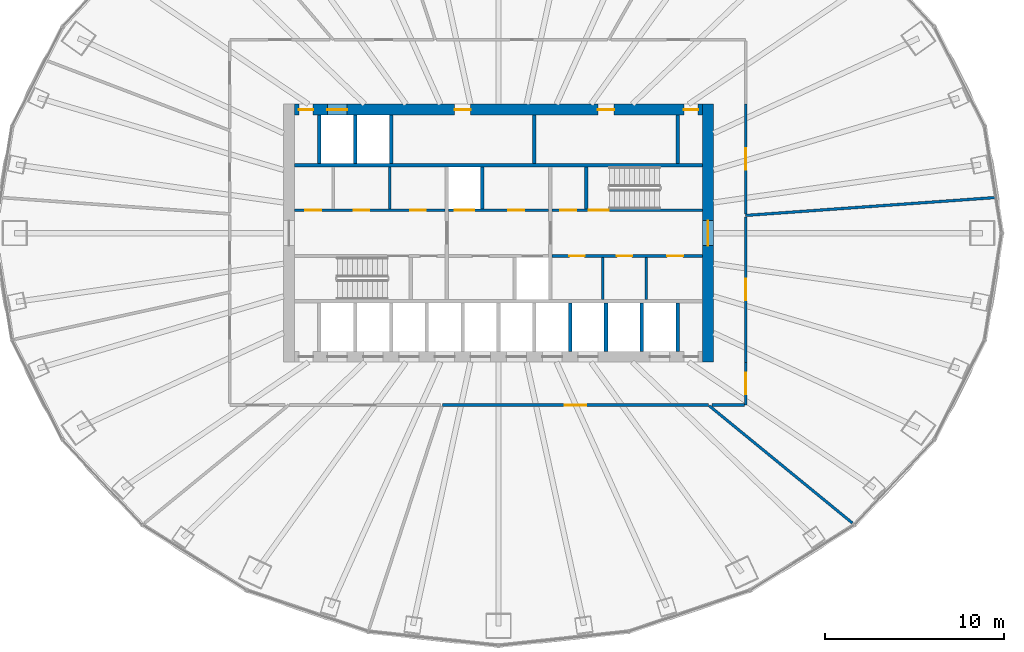
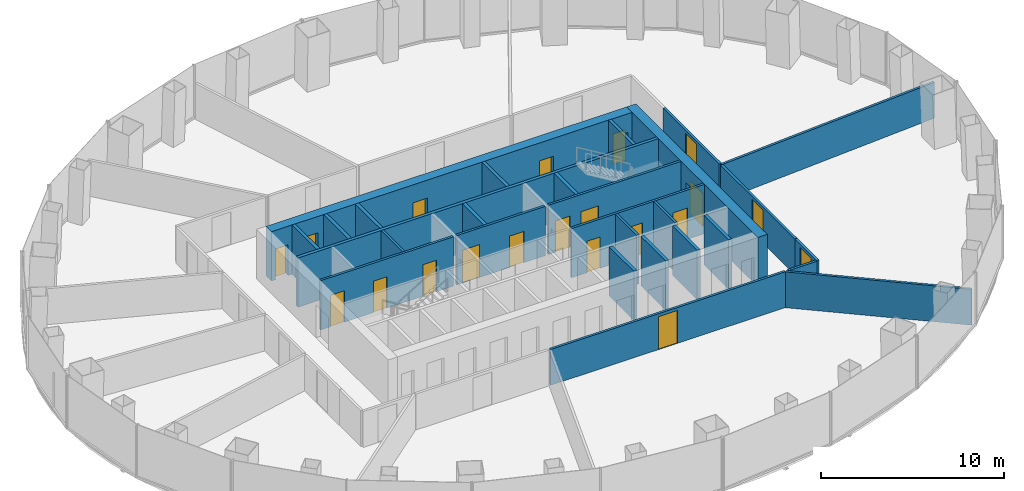
# One storey, part 9 of 11: 28 walls, 20 doors, 20 openings.
"""IFC4 building model written with IfcOpenShell, lengths in metres."""

import ifcopenshell
import ifcopenshell.guid

model = None  # the IFC model being written
_history = None  # IfcOwnerHistory: only IFC2X3 demands one
_inside = {}  # id of a spatial element -> (the spatial element, [elements in it])
_under = {}  # id of a project, library or spatial element -> (it, [spatial elements below it])
_declared = {}  # id of a project -> (the project, [libraries it declares])
_typed = {}  # id of a type object -> (the type object, [elements of that type])
_made_of = {}  # id of a material, layer set ... -> (it, [elements and type objects made of it])


def new_model(schema):
    """Start an empty IFC model of exactly this schema.

    Asked for "IFC4X3", IfcOpenShell would pick the latest addendum, in which some entities
    have other attributes; the version numbers below select the first issue.
    IFC2X3 requires an IfcOwnerHistory on every rooted entity: one is made here for all.
    """
    global model, _history
    if schema == "IFC4X3":
        model = ifcopenshell.file(schema_version=(4, 3, 0, 0))
    else:
        model = ifcopenshell.file(schema=schema)
    _inside.clear()
    _under.clear()
    _declared.clear()
    _typed.clear()
    _made_of.clear()
    _history = None
    if model.schema == "IFC2X3":
        org = make("IfcOrganization", Name="unknown")
        user = make(
            "IfcPersonAndOrganization",
            ThePerson=make("IfcPerson", FamilyName="unknown"),
            TheOrganization=org,
        )
        app = make(
            "IfcApplication",
            ApplicationDeveloper=org,
            Version="unknown",
            ApplicationFullName="unknown",
            ApplicationIdentifier="unknown",
        )
        _history = make(
            "IfcOwnerHistory",
            OwningUser=user,
            OwningApplication=app,
            ChangeAction="ADDED",
            CreationDate=0,
        )
    return model


def make(cls, **values):
    """One entity of the class cls with the attributes given. An attribute that is None is left unset."""
    return model.create_entity(
        cls, **{name: value for name, value in values.items() if value is not None}
    )


def rooted(cls, **values):
    """An entity with a GlobalId (a new one), such as an element, a storey or a relation."""
    return make(cls, GlobalId=ifcopenshell.guid.new(), OwnerHistory=_history, **values)


def si_unit(unit_type, name, prefix=None):
    """IfcSIUnit, for example si_unit("LENGTHUNIT", "METRE", prefix="MILLI")."""
    return make("IfcSIUnit", UnitType=unit_type, Prefix=prefix, Name=name)


def assignment(units):
    """IfcUnitAssignment: the units of a project."""
    return None if units is None else make("IfcUnitAssignment", Units=units)


def point(xyz):
    """IfcCartesianPoint."""
    return None if xyz is None else make("IfcCartesianPoint", Coordinates=xyz)


def direction(xyz):
    """IfcDirection."""
    return None if xyz is None else make("IfcDirection", DirectionRatios=xyz)


def frame(location, z_axis=None, x_axis=None):
    """IfcAxis2Placement3D, a coordinate frame: its origin and axes. An axis left out is left unset."""
    return make(
        "IfcAxis2Placement3D",
        Location=point(location),
        Axis=direction(z_axis),
        RefDirection=direction(x_axis),
    )


def frame_2d(location, x_axis=None):
    """IfcAxis2Placement2D, a coordinate frame in the plane: its origin and x axis."""
    return make(
        "IfcAxis2Placement2D", Location=point(location), RefDirection=direction(x_axis)
    )


def origin():
    """The frame at (0, 0, 0) with its axes left unset."""
    return frame((0.0, 0.0, 0.0))


def place(relative_to, where):
    """IfcLocalPlacement: puts the frame where relative to a parent placement (None: the world)."""
    return make(
        "IfcLocalPlacement", PlacementRelTo=relative_to, RelativePlacement=where
    )


def context(
    kind, dimensions, precision=None, world=None, true_north=None, identifier=None
):
    """IfcGeometricRepresentationContext, for example the 3D "Model" context."""
    return make(
        "IfcGeometricRepresentationContext",
        ContextIdentifier=identifier,
        ContextType=kind,
        CoordinateSpaceDimension=dimensions,
        Precision=precision,
        WorldCoordinateSystem=world,
        TrueNorth=true_north,
    )


def subcontext(parent, identifier, kind, view, scale=None):
    """IfcGeometricRepresentationSubContext, for example "Body" below "Model"."""
    return make(
        "IfcGeometricRepresentationSubContext",
        ContextIdentifier=identifier,
        ContextType=kind,
        ParentContext=parent,
        TargetScale=scale,
        TargetView=view,
    )


def project(units=None, contexts=None):
    """IfcProject with its units and contexts."""
    return rooted(
        "IfcProject",
        Name="project",
        RepresentationContexts=contexts,
        UnitsInContext=assignment(units),
    )


def spatial(cls, under=None, at=None, **own):
    """A site, building, storey or space (cls), placed at a placement, below another one or the project."""
    s = rooted(cls, ObjectPlacement=at, **own)
    if under is not None:
        _under.setdefault(under.id(), (under, []))[1].append(s)
    return s


def profile(cls, at=None, kind="AREA", **sizes):
    """A parametric profile (cls). Its sizes go by their IFC names, for example OverallWidth=200.0."""
    return make(cls, ProfileType=kind, Position=at, **sizes)


def rectangle(**sizes):
    """IfcRectangleProfileDef."""
    return profile("IfcRectangleProfileDef", **sizes)


def extrude(swept, where, along, depth):
    """IfcExtrudedAreaSolid: the profile swept, set in the frame where, extruded along a direction by depth."""
    return make(
        "IfcExtrudedAreaSolid",
        SweptArea=swept,
        Position=where,
        ExtrudedDirection=direction(along),
        Depth=depth,
    )


def shape(context_of_items, identifier, shape_type, items):
    """IfcShapeRepresentation: the items that make up one representation, for example the "Body"."""
    return make(
        "IfcShapeRepresentation",
        ContextOfItems=context_of_items,
        RepresentationIdentifier=identifier,
        RepresentationType=shape_type,
        Items=items,
    )


def material(Name=None, Category=None):
    """IfcMaterial."""
    return make("IfcMaterial", Name=Name, Category=Category)


def layer(
    of_material, thickness, ventilated=None, Name=None, Category=None, Priority=None
):
    """IfcMaterialLayer: one layer of a wall or slab, of a material (None: an air gap)."""
    return make(
        "IfcMaterialLayer",
        Material=of_material,
        LayerThickness=thickness,
        IsVentilated=ventilated,
        Name=Name,
        Category=Category,
        Priority=Priority,
    )


def layer_set(layers, Name=None):
    """IfcMaterialLayerSet."""
    return make("IfcMaterialLayerSet", MaterialLayers=layers, LayerSetName=Name)


def made_of(thing, what):
    """Note that an element or type object is made of a material, layer set ...; save() writes the relation."""
    if what is not None:
        _made_of.setdefault(what.id(), (what, []))[1].append(thing)
    return thing


def type_object(cls, material=None, **own):
    """A type object (cls), such as IfcWallType, which elements share."""
    return made_of(rooted(cls, **own), material)


def element(
    cls,
    number,
    at=None,
    inside=None,
    cuts=None,
    type_object=None,
    material=None,
    context=None,
    identifier="Body",
    shape_type=None,
    held_by="IfcProductDefinitionShape",
    body=None,
    shapes=None,
    **own,
):
    """One element of the class cls, such as IfcWall. Its Tag is "e" and its number.

    at: its placement. inside: the storey or other place that contains it. cuts: it is an
    opening in that element (IfcRelVoidsElement). A single representation is given by context,
    identifier, shape_type and body (its items); several are given by shapes. held_by: the class
    of the entity that holds the representations. save() writes the other relations.
    """
    e = rooted(cls, Tag="e%d" % number, ObjectPlacement=at, **own)
    if body is not None:
        shapes = [shape(context, identifier, shape_type, body)]
    if shapes is not None:
        e.Representation = make(held_by, Representations=shapes)
    if inside is not None:
        _inside.setdefault(inside.id(), (inside, []))[1].append(e)
    if cuts is not None:
        rooted(
            "IfcRelVoidsElement", RelatingBuildingElement=cuts, RelatedOpeningElement=e
        )
    if type_object is not None:
        _typed.setdefault(type_object.id(), (type_object, []))[1].append(e)
    return made_of(e, material)


def fill(opening, filler):
    """IfcRelFillsElement: the door or window that sits in an opening."""
    return rooted(
        "IfcRelFillsElement",
        RelatingOpeningElement=opening,
        RelatedBuildingElement=filler,
    )


def aggregate(whole, parts):
    """IfcRelAggregates: a whole, such as a stair, and the parts it consists of."""
    return rooted("IfcRelAggregates", RelatingObject=whole, RelatedObjects=parts)


def save(model, path):
    """Write the relations noted so far, then the file.

    IfcRelAggregates (storeys below a building ...), IfcRelContainedInSpatialStructure (elements
    in a storey), IfcRelDefinesByType, IfcRelAssociatesMaterial and IfcRelDeclares: one each for
    every whole, place, type object, material and project.
    """
    for whole, parts in _under.values():
        aggregate(whole, parts)
    for where, things in _inside.values():
        rooted(
            "IfcRelContainedInSpatialStructure",
            RelatedElements=things,
            RelatingStructure=where,
        )
    for kind, things in _typed.values():
        rooted("IfcRelDefinesByType", RelatedObjects=things, RelatingType=kind)
    for what, things in _made_of.values():
        rooted("IfcRelAssociatesMaterial", RelatedObjects=things, RelatingMaterial=what)
    for by, libraries in _declared.values():
        rooted("IfcRelDeclares", RelatingContext=by, RelatedDefinitions=libraries)
    model.write(path)


model = new_model("IFC4")

# Units and contexts
model_context = context("Model", 3, precision=1e-05, world=origin(), true_north=direction((0.0, 1.0)))
body_context = subcontext(model_context, "Body", "Model", "MODEL_VIEW")
ifc_project = project(units=[si_unit("LENGTHUNIT", "METRE"), si_unit("AREAUNIT", "SQUARE_METRE"), si_unit("VOLUMEUNIT", "CUBIC_METRE"), si_unit("PLANEANGLEUNIT", "RADIAN"), si_unit("MASSUNIT", "GRAM", prefix="KILO")], contexts=[model_context])

# Site, building, storey
site_placement = place(None, origin())
site = spatial("IfcSite", under=ifc_project, at=site_placement, CompositionType="ELEMENT")
building_placement = place(site_placement, origin())
building = spatial("IfcBuilding", under=site, at=building_placement, Name="Siaravel Broadcast Tower", CompositionType="ELEMENT")
storey_placement = place(building_placement, frame((0.0, 0.0, 40.800048828125)))
storey = spatial("IfcBuildingStorey", under=building, at=storey_placement, Name="L08", CompositionType="ELEMENT", Elevation=40.800048828125)

# Walls
ifc_material_1 = material(Name="Concrete blockwork", Category="masonry")
ifc_layer_1 = layer(ifc_material_1, 0.14990234375)
ifc_layer_set_1 = layer_set([ifc_layer_1], Name="Concrete blockwork")
wall_type_1 = type_object("IfcWallType", Name="Core partition 150", PredefinedType="PARTITIONING", material=ifc_layer_set_1)
for number, where, z_axis, x_axis, name in (
    (1, (-6.072021484375, 1.35009765625, 0.0), (0.0, 0.0, 1.0), (0.0, 1.0, 0.0), "L08 core partition PNW1"),
    (2, (5.8291015625, -3.699951171875, 0.0), (0.0, 0.0, 1.0), (0.0, 1.0, 0.0), "L08 core partition PSE0"),
    (3, (8.2470703125, -3.699951171875, 0.0), (0.0, 0.0, 1.0), (0.0, 1.0, 0.0), "L08 core partition PSE1"),
):
    element("IfcWall", number, at=place(storey_placement, frame(where, z_axis=z_axis, x_axis=x_axis)), inside=storey, type_object=wall_type_1, Name=name, PredefinedType="PARTITIONING", context=body_context, shape_type="SweptSolid", body=[
        extrude(rectangle(XDim=2.349853515625, YDim=0.14990234375, at=frame_2d((1.1748046875, 0.0))), origin(), (0.0, 0.0, 1.0), 3.300048828125),
    ])
ifc_layer_2 = layer(ifc_material_1, 0.199951171875)
ifc_layer_set_2 = layer_set([ifc_layer_2], Name="Concrete blockwork")
wall_type_2 = type_object("IfcWallType", Name="Core partition 200", PredefinedType="PARTITIONING", material=ifc_layer_set_2)
wall_1_placement = place(storey_placement, frame((2.0, 3.89990234375, 0.0), z_axis=(0.0, 0.0, 1.0), x_axis=(0.0, 1.0, 0.0)))
element("IfcWall", 4, at=wall_1_placement, inside=storey, type_object=wall_type_2, Name="L08 core partition PFN2", PredefinedType="PARTITIONING", context=body_context, shape_type="SweptSolid", body=[
    extrude(rectangle(XDim=2.7001953125, YDim=0.199951171875, at=frame_2d((1.35009765625, 0.0))), origin(), (0.0, 0.0, 1.0), 3.300048828125),
])

# Wall, opening, door
ifc_material_2 = material(Name="Concrete C60/75", Category="concrete")
ifc_layer_3 = layer(ifc_material_2, 0.60009765625)
ifc_layer_set_3 = layer_set([ifc_layer_3], Name="Concrete C60/75")
wall_type_3 = type_object("IfcWallType", Name="Core wall 600", PredefinedType="SHEAR", material=ifc_layer_set_3)
wall_2_placement = place(storey_placement, frame((11.699951171875, -7.199951171875, 0.0), z_axis=(0.0, 0.0, 1.0), x_axis=(0.0, 1.0, 0.0)))
wall_2 = element("IfcWall", 5, at=wall_2_placement, inside=storey, type_object=wall_type_3, Name="L08 core wall OE", PredefinedType="SHEAR", context=body_context, shape_type="SweptSolid", body=[
    extrude(rectangle(XDim=14.39990234375, YDim=0.60009765625, at=frame_2d((7.199951171875, 0.0))), origin(), (0.0, 0.0, 1.0), 3.300048828125),
])
opening_1_placement = place(wall_2_placement, frame((6.5, 0.0, 0.0)))
opening_1 = element("IfcOpeningElement", 6, at=opening_1_placement, cuts=wall_2, Name="Opening L08-DX-E", PredefinedType="OPENING", context=body_context, shape_type="SweptSolid", body=[
    extrude(rectangle(XDim=1.39990234375, YDim=2.199951171875, at=frame_2d((0.699951171875, 1.10009765625))), frame((0.0, 0.31005859375, 0.0), z_axis=(0.0, -1.0, 0.0), x_axis=(1.0, 0.0, 0.0)), (0.0, 0.0, 1.0), 0.6201171875),
])
ifc_material_3 = material(Name="Steel", Category="steel")
door_type_1 = type_object("IfcDoorType", Name="Core exit door 1400", OperationType="DOUBLE_DOOR_SINGLE_SWING", PredefinedType="DOOR", material=ifc_material_3)
door_1_placement = place(opening_1_placement, origin())
door_1 = element("IfcDoor", 7, at=door_1_placement, inside=storey, type_object=door_type_1, Name="L08 door DX-E", OperationType="DOUBLE_DOOR_SINGLE_SWING", OverallHeight=2.199951171875, OverallWidth=1.39990234375, PredefinedType="DOOR", context=body_context, shape_type="SweptSolid", body=[
    extrude(rectangle(XDim=1.39990234375, YDim=2.199951171875, at=frame_2d((0.699951171875, 1.10009765625))), frame((0.0, 0.02490234375, 0.0), z_axis=(0.0, -1.0, 0.0), x_axis=(1.0, 0.0, 0.0)), (0.0, 0.0, 1.0), 0.050048828125),
])
fill(opening_1, door_1)

# Wall, openings, doors
wall_3_placement = place(storey_placement, frame((-11.39990234375, 6.89990234375, 0.0), z_axis=(0.0, 0.0, 1.0), x_axis=(1.0, 0.0, 0.0)))
wall_3 = element("IfcWall", 8, at=wall_3_placement, inside=storey, type_object=wall_type_3, Name="L08 core wall ON", PredefinedType="SHEAR", context=body_context, shape_type="SweptSolid", body=[
    extrude(rectangle(XDim=22.7998046875, YDim=0.60009765625, at=frame_2d((11.39990234375, 0.0))), origin(), (0.0, 0.0, 1.0), 3.300048828125),
])
opening_2_placement = place(wall_3_placement, frame((1.85009765625, 0.0, 0.0)))
opening_2 = element("IfcOpeningElement", 9, at=opening_2_placement, cuts=wall_3, Name="Opening LD-SV2-L08", PredefinedType="OPENING", context=body_context, shape_type="SweptSolid", body=[
    extrude(rectangle(XDim=1.10009765625, YDim=2.199951171875, at=frame_2d((0.550048828125, 1.10009765625))), frame((0.0, 0.31005859375, 0.0), z_axis=(0.0, -1.0, 0.0), x_axis=(1.0, 0.0, 0.0)), (0.0, 0.0, 1.0), 0.6201171875),
])
opening_3_placement = place(wall_3_placement, frame((8.949951171875, 0.0, 0.0)))
opening_3 = element("IfcOpeningElement", 10, at=opening_3_placement, cuts=wall_3, Name="Opening L08-DFN2", PredefinedType="OPENING", context=body_context, shape_type="SweptSolid", body=[
    extrude(rectangle(XDim=0.89990234375, YDim=2.10009765625, at=frame_2d((0.449951171875, 1.050048828125))), frame((0.0, 0.31005859375, 0.0), z_axis=(0.0, -1.0, 0.0), x_axis=(1.0, 0.0, 0.0)), (0.0, 0.0, 1.0), 0.6201171875),
])
opening_4_placement = place(wall_3_placement, frame((16.949951171875, 0.0, 0.0)))
opening_4 = element("IfcOpeningElement", 11, at=opening_4_placement, cuts=wall_3, Name="Opening L08-DFN6", PredefinedType="OPENING", context=body_context, shape_type="SweptSolid", body=[
    extrude(rectangle(XDim=0.89990234375, YDim=2.10009765625, at=frame_2d((0.449951171875, 1.050048828125))), frame((0.0, 0.31005859375, 0.0), z_axis=(0.0, -1.0, 0.0), x_axis=(1.0, 0.0, 0.0)), (0.0, 0.0, 1.0), 0.6201171875),
])
opening_5_placement = place(wall_3_placement, frame((0.25, 0.0, 0.0)))
opening_5 = element("IfcOpeningElement", 12, at=opening_5_placement, cuts=wall_3, Name="Opening L08-DRNW", PredefinedType="OPENING", context=body_context, shape_type="SweptSolid", body=[
    extrude(rectangle(XDim=0.800048828125, YDim=2.050048828125, at=frame_2d((0.39990234375, 1.02490234375))), frame((0.0, 0.31005859375, 0.0), z_axis=(0.0, -1.0, 0.0), x_axis=(1.0, 0.0, 0.0)), (0.0, 0.0, 1.0), 0.6201171875),
])
opening_6_placement = place(wall_3_placement, frame((21.75, 0.0, 0.0)))
opening_6 = element("IfcOpeningElement", 13, at=opening_6_placement, cuts=wall_3, Name="Opening L08-DRNE", PredefinedType="OPENING", context=body_context, shape_type="SweptSolid", body=[
    extrude(rectangle(XDim=0.800048828125, YDim=2.050048828125, at=frame_2d((0.39990234375, 1.02490234375))), frame((0.0, 0.31005859375, 0.0), z_axis=(0.0, -1.0, 0.0), x_axis=(1.0, 0.0, 0.0)), (0.0, 0.0, 1.0), 0.6201171875),
])
ifc_material_4 = material(Name="Timber veneer", Category="wood")
door_type_2 = type_object("IfcDoorType", Name="Core room door 900", OperationType="SINGLE_SWING_LEFT", PredefinedType="DOOR", material=ifc_material_4)
door_2_placement = place(opening_3_placement, origin())
door_2 = element("IfcDoor", 14, at=door_2_placement, inside=storey, type_object=door_type_2, Name="L08 door DFN2", OperationType="SINGLE_SWING_LEFT", OverallHeight=2.10009765625, OverallWidth=0.89990234375, PredefinedType="DOOR", context=body_context, shape_type="SweptSolid", body=[
    extrude(rectangle(XDim=0.89990234375, YDim=2.10009765625, at=frame_2d((0.449951171875, 1.050048828125))), frame((0.0, 0.02490234375, 0.0), z_axis=(0.0, -1.0, 0.0), x_axis=(1.0, 0.0, 0.0)), (0.0, 0.0, 1.0), 0.050048828125),
])
fill(opening_3, door_2)
door_3_placement = place(opening_4_placement, origin())
door_3 = element("IfcDoor", 15, at=door_3_placement, inside=storey, type_object=door_type_2, Name="L08 door DFN6", OperationType="SINGLE_SWING_LEFT", OverallHeight=2.10009765625, OverallWidth=0.89990234375, PredefinedType="DOOR", context=body_context, shape_type="SweptSolid", body=[
    extrude(rectangle(XDim=0.89990234375, YDim=2.10009765625, at=frame_2d((0.449951171875, 1.050048828125))), frame((0.0, 0.02490234375, 0.0), z_axis=(0.0, -1.0, 0.0), x_axis=(1.0, 0.0, 0.0)), (0.0, 0.0, 1.0), 0.050048828125),
])
fill(opening_4, door_3)
door_type_3 = type_object("IfcDoorType", Name="Riser door 800", OperationType="SINGLE_SWING_LEFT", PredefinedType="DOOR", material=ifc_material_3)
door_4_placement = place(opening_5_placement, origin())
door_4 = element("IfcDoor", 16, at=door_4_placement, inside=storey, type_object=door_type_3, Name="L08 door DRNW", OperationType="SINGLE_SWING_LEFT", OverallHeight=2.050048828125, OverallWidth=0.800048828125, PredefinedType="DOOR", context=body_context, shape_type="SweptSolid", body=[
    extrude(rectangle(XDim=0.800048828125, YDim=2.050048828125, at=frame_2d((0.39990234375, 1.02490234375))), frame((0.0, 0.02490234375, 0.0), z_axis=(0.0, -1.0, 0.0), x_axis=(1.0, 0.0, 0.0)), (0.0, 0.0, 1.0), 0.050048828125),
])
fill(opening_5, door_4)
door_5_placement = place(opening_6_placement, origin())
door_5 = element("IfcDoor", 17, at=door_5_placement, inside=storey, type_object=door_type_3, Name="L08 door DRNE", OperationType="SINGLE_SWING_LEFT", OverallHeight=2.050048828125, OverallWidth=0.800048828125, PredefinedType="DOOR", context=body_context, shape_type="SweptSolid", body=[
    extrude(rectangle(XDim=0.800048828125, YDim=2.050048828125, at=frame_2d((0.39990234375, 1.02490234375))), frame((0.0, 0.02490234375, 0.0), z_axis=(0.0, -1.0, 0.0), x_axis=(1.0, 0.0, 0.0)), (0.0, 0.0, 1.0), 0.050048828125),
])
fill(opening_6, door_5)
ifc_material_5 = material(Name="Stainless steel 316L", Category="steel")
door_type_4 = type_object("IfcDoorType", Name="Service lift landing door 1100", OperationType="DOUBLE_DOOR_SLIDING", PredefinedType="DOOR", material=ifc_material_5)
door_6_placement = place(opening_2_placement, origin())
door_6 = element("IfcDoor", 18, at=door_6_placement, inside=storey, type_object=door_type_4, Name="Landing door SV2 L08", OperationType="DOUBLE_DOOR_SLIDING", OverallHeight=2.199951171875, OverallWidth=1.10009765625, PredefinedType="DOOR", context=body_context, shape_type="SweptSolid", body=[
    extrude(rectangle(XDim=1.10009765625, YDim=2.199951171875, at=frame_2d((0.550048828125, 1.10009765625))), frame((0.0, 0.02490234375, 0.0), z_axis=(0.0, -1.0, 0.0), x_axis=(1.0, 0.0, 0.0)), (0.0, 0.0, 1.0), 0.050048828125),
])
fill(opening_2, door_6)

ifc_material_6 = material(Name="Gypsum board partition", Category="gypsum")
ifc_layer_4 = layer(ifc_material_6, 0.14990234375)
ifc_layer_set_4 = layer_set([ifc_layer_4], Name="Gypsum board partition")
wall_type_4 = type_object("IfcWallType", Name="Corridor wall 150", PredefinedType="PARTITIONING", material=ifc_layer_set_4)
wall_4_placement = place(storey_placement, frame((3.0, -1.27490234375, 0.0), z_axis=(0.0, 0.0, 1.0), x_axis=(1.0, 0.0, 0.0)))
wall_4 = element("IfcWall", 19, at=wall_4_placement, inside=storey, type_object=wall_type_4, Name="L08 core partition CSE", PredefinedType="PARTITIONING", context=body_context, shape_type="SweptSolid", body=[
    extrude(rectangle(XDim=8.39990234375, YDim=0.14990234375, at=frame_2d((4.199951171875, 0.0))), origin(), (0.0, 0.0, 1.0), 3.300048828125),
])
opening_7_placement = place(wall_4_placement, frame((0.951904296875, 0.0, 0.0)))
opening_7 = element("IfcOpeningElement", 20, at=opening_7_placement, cuts=wall_4, Name="Opening L08-DSE0", PredefinedType="OPENING", context=body_context, shape_type="SweptSolid", body=[
    extrude(rectangle(XDim=0.85009765625, YDim=2.10009765625, at=frame_2d((0.425048828125, 1.050048828125))), frame((0.0, 0.0849609375, 0.0), z_axis=(0.0, -1.0, 0.0), x_axis=(1.0, 0.0, 0.0)), (0.0, 0.0, 1.0), 0.169921875),
])
opening_8_placement = place(wall_4_placement, frame((3.613037109375, 0.0, 0.0)))
opening_8 = element("IfcOpeningElement", 21, at=opening_8_placement, cuts=wall_4, Name="Opening L08-DSE1", PredefinedType="OPENING", context=body_context, shape_type="SweptSolid", body=[
    extrude(rectangle(XDim=0.85009765625, YDim=2.10009765625, at=frame_2d((0.425048828125, 1.050048828125))), frame((0.0, 0.0849609375, 0.0), z_axis=(0.0, -1.0, 0.0), x_axis=(1.0, 0.0, 0.0)), (0.0, 0.0, 1.0), 0.169921875),
])
opening_9_placement = place(wall_4_placement, frame((6.410888671875, 0.0, 0.0)))
opening_9 = element("IfcOpeningElement", 22, at=opening_9_placement, cuts=wall_4, Name="Opening L08-DSE2", PredefinedType="OPENING", context=body_context, shape_type="SweptSolid", body=[
    extrude(rectangle(XDim=0.89990234375, YDim=2.10009765625, at=frame_2d((0.449951171875, 1.050048828125))), frame((0.0, 0.0849609375, 0.0), z_axis=(0.0, -1.0, 0.0), x_axis=(1.0, 0.0, 0.0)), (0.0, 0.0, 1.0), 0.169921875),
])
door_7_placement = place(opening_9_placement, origin())
door_7 = element("IfcDoor", 23, at=door_7_placement, inside=storey, type_object=door_type_2, Name="L08 door DSE2", OperationType="SINGLE_SWING_LEFT", OverallHeight=2.10009765625, OverallWidth=0.89990234375, PredefinedType="DOOR", context=body_context, shape_type="SweptSolid", body=[
    extrude(rectangle(XDim=0.89990234375, YDim=2.10009765625, at=frame_2d((0.449951171875, 1.050048828125))), frame((0.0, 0.02490234375, 0.0), z_axis=(0.0, -1.0, 0.0), x_axis=(1.0, 0.0, 0.0)), (0.0, 0.0, 1.0), 0.050048828125),
])
fill(opening_9, door_7)
door_type_5 = type_object("IfcDoorType", Name="Core toilet door 850", OperationType="SINGLE_SWING_LEFT", PredefinedType="DOOR", material=ifc_material_4)
door_8_placement = place(opening_7_placement, origin())
door_8 = element("IfcDoor", 24, at=door_8_placement, inside=storey, type_object=door_type_5, Name="L08 door DSE0", OperationType="SINGLE_SWING_LEFT", OverallHeight=2.10009765625, OverallWidth=0.85009765625, PredefinedType="DOOR", context=body_context, shape_type="SweptSolid", body=[
    extrude(rectangle(XDim=0.85009765625, YDim=2.10009765625, at=frame_2d((0.425048828125, 1.050048828125))), frame((0.0, 0.02490234375, 0.0), z_axis=(0.0, -1.0, 0.0), x_axis=(1.0, 0.0, 0.0)), (0.0, 0.0, 1.0), 0.050048828125),
])
fill(opening_7, door_8)
door_9_placement = place(opening_8_placement, origin())
door_9 = element("IfcDoor", 25, at=door_9_placement, inside=storey, type_object=door_type_5, Name="L08 door DSE1", OperationType="SINGLE_SWING_LEFT", OverallHeight=2.10009765625, OverallWidth=0.85009765625, PredefinedType="DOOR", context=body_context, shape_type="SweptSolid", body=[
    extrude(rectangle(XDim=0.85009765625, YDim=2.10009765625, at=frame_2d((0.425048828125, 1.050048828125))), frame((0.0, 0.02490234375, 0.0), z_axis=(0.0, -1.0, 0.0), x_axis=(1.0, 0.0, 0.0)), (0.0, 0.0, 1.0), 0.050048828125),
])
fill(opening_8, door_9)

wall_5_placement = place(storey_placement, frame((-11.39990234375, 1.27490234375, 0.0), z_axis=(0.0, 0.0, 1.0), x_axis=(1.0, 0.0, 0.0)))
wall_5 = element("IfcWall", 26, at=wall_5_placement, inside=storey, type_object=wall_type_4, Name="L08 core partition CNW", PredefinedType="PARTITIONING", context=body_context, shape_type="SweptSolid", body=[
    extrude(rectangle(XDim=8.39990234375, YDim=0.14990234375, at=frame_2d((4.199951171875, 0.0))), origin(), (0.0, 0.0, 1.0), 3.300048828125),
])
opening_10_placement = place(wall_5_placement, frame((0.60302734375, 0.0, 0.0)))
opening_10 = element("IfcOpeningElement", 27, at=opening_10_placement, cuts=wall_5, Name="Opening L08-DNW0", PredefinedType="OPENING", context=body_context, shape_type="SweptSolid", body=[
    extrude(rectangle(XDim=0.89990234375, YDim=2.10009765625, at=frame_2d((0.449951171875, 1.050048828125))), frame((0.0, 0.0849609375, 0.0), z_axis=(0.0, -1.0, 0.0), x_axis=(1.0, 0.0, 0.0)), (0.0, 0.0, 1.0), 0.169921875),
])
opening_11_placement = place(wall_5_placement, frame((3.32958984375, 0.0, 0.0)))
opening_11 = element("IfcOpeningElement", 28, at=opening_11_placement, cuts=wall_5, Name="Opening L08-DNW1", PredefinedType="OPENING", context=body_context, shape_type="SweptSolid", body=[
    extrude(rectangle(XDim=0.85009765625, YDim=2.10009765625, at=frame_2d((0.425048828125, 1.050048828125))), frame((0.0, 0.0849609375, 0.0), z_axis=(0.0, -1.0, 0.0), x_axis=(1.0, 0.0, 0.0)), (0.0, 0.0, 1.0), 0.169921875),
])
opening_12_placement = place(wall_5_placement, frame((6.4765625, 0.0, 0.0)))
opening_12 = element("IfcOpeningElement", 29, at=opening_12_placement, cuts=wall_5, Name="Opening L08-DNW2", PredefinedType="OPENING", context=body_context, shape_type="SweptSolid", body=[
    extrude(rectangle(XDim=0.85009765625, YDim=2.10009765625, at=frame_2d((0.425048828125, 1.050048828125))), frame((0.0, 0.0849609375, 0.0), z_axis=(0.0, -1.0, 0.0), x_axis=(1.0, 0.0, 0.0)), (0.0, 0.0, 1.0), 0.169921875),
])
door_10_placement = place(opening_10_placement, origin())
door_10 = element("IfcDoor", 30, at=door_10_placement, inside=storey, type_object=door_type_2, Name="L08 door DNW0", OperationType="SINGLE_SWING_LEFT", OverallHeight=2.10009765625, OverallWidth=0.89990234375, PredefinedType="DOOR", context=body_context, shape_type="SweptSolid", body=[
    extrude(rectangle(XDim=0.89990234375, YDim=2.10009765625, at=frame_2d((0.449951171875, 1.050048828125))), frame((0.0, 0.02490234375, 0.0), z_axis=(0.0, -1.0, 0.0), x_axis=(1.0, 0.0, 0.0)), (0.0, 0.0, 1.0), 0.050048828125),
])
fill(opening_10, door_10)
door_11_placement = place(opening_11_placement, origin())
door_11 = element("IfcDoor", 31, at=door_11_placement, inside=storey, type_object=door_type_5, Name="L08 door DNW1", OperationType="SINGLE_SWING_LEFT", OverallHeight=2.10009765625, OverallWidth=0.85009765625, PredefinedType="DOOR", context=body_context, shape_type="SweptSolid", body=[
    extrude(rectangle(XDim=0.85009765625, YDim=2.10009765625, at=frame_2d((0.425048828125, 1.050048828125))), frame((0.0, 0.02490234375, 0.0), z_axis=(0.0, -1.0, 0.0), x_axis=(1.0, 0.0, 0.0)), (0.0, 0.0, 1.0), 0.050048828125),
])
fill(opening_11, door_11)
door_12_placement = place(opening_12_placement, origin())
door_12 = element("IfcDoor", 32, at=door_12_placement, inside=storey, type_object=door_type_5, Name="L08 door DNW2", OperationType="SINGLE_SWING_LEFT", OverallHeight=2.10009765625, OverallWidth=0.85009765625, PredefinedType="DOOR", context=body_context, shape_type="SweptSolid", body=[
    extrude(rectangle(XDim=0.85009765625, YDim=2.10009765625, at=frame_2d((0.425048828125, 1.050048828125))), frame((0.0, 0.02490234375, 0.0), z_axis=(0.0, -1.0, 0.0), x_axis=(1.0, 0.0, 0.0)), (0.0, 0.0, 1.0), 0.050048828125),
])
fill(opening_12, door_12)

# Wall, opening, door
wall_6_placement = place(storey_placement, frame((-3.140380859375, -9.60009765625, 0.0), z_axis=(0.0, 0.0, 1.0), x_axis=(1.0, 0.0, 0.0)))
wall_6 = element("IfcWall", 33, at=wall_6_placement, inside=storey, type_object=wall_type_4, Name="L08 partition 1", PredefinedType="PARTITIONING", context=body_context, shape_type="SweptSolid", body=[
    extrude(rectangle(XDim=14.8603515625, YDim=0.14990234375, at=frame_2d((7.43017578125, 0.0))), origin(), (0.0, 0.0, 1.0), 2.39990234375),
])
opening_13_placement = place(wall_6_placement, frame((6.830078125, 0.0, 0.0)))
opening_13 = element("IfcOpeningElement", 34, at=opening_13_placement, cuts=wall_6, Name="Opening L08-014", PredefinedType="OPENING", context=body_context, shape_type="SweptSolid", body=[
    extrude(rectangle(XDim=1.199951171875, YDim=2.199951171875, at=frame_2d((0.60009765625, 1.10009765625))), frame((0.0, 0.0849609375, 0.0), z_axis=(0.0, -1.0, 0.0), x_axis=(1.0, 0.0, 0.0)), (0.0, 0.0, 1.0), 0.169921875),
])
door_type_6 = type_object("IfcDoorType", Name="Office double door 1200", OperationType="DOUBLE_DOOR_SINGLE_SWING", PredefinedType="DOOR", material=ifc_material_4)
door_13_placement = place(opening_13_placement, origin())
door_13 = element("IfcDoor", 35, at=door_13_placement, inside=storey, type_object=door_type_6, Name="L08 door to Open plan newsroom", OperationType="DOUBLE_DOOR_SINGLE_SWING", OverallHeight=2.199951171875, OverallWidth=1.199951171875, PredefinedType="DOOR", context=body_context, shape_type="SweptSolid", body=[
    extrude(rectangle(XDim=1.199951171875, YDim=2.199951171875, at=frame_2d((0.60009765625, 1.10009765625))), frame((0.0, 0.02490234375, 0.0), z_axis=(0.0, -1.0, 0.0), x_axis=(1.0, 0.0, 0.0)), (0.0, 0.0, 1.0), 0.050048828125),
])
fill(opening_13, door_13)

wall_7_placement = place(storey_placement, frame((13.800048828125, -7.2119140625, 0.0), z_axis=(0.0, 0.0, 1.0), x_axis=(0.0, 1.0, 0.0)))
wall_7 = element("IfcWall", 36, at=wall_7_placement, inside=storey, type_object=wall_type_4, Name="L08 partition 14", PredefinedType="PARTITIONING", context=body_context, shape_type="SweptSolid", body=[
    extrude(rectangle(XDim=8.1240234375, YDim=0.14990234375, at=frame_2d((4.06201171875, 0.0))), origin(), (0.0, 0.0, 1.0), 2.39990234375),
])
opening_14_placement = place(wall_7_placement, frame((3.462158203125, 0.0, 0.0)))
opening_14 = element("IfcOpeningElement", 37, at=opening_14_placement, cuts=wall_7, Name="Opening L08-001", PredefinedType="OPENING", context=body_context, shape_type="SweptSolid", body=[
    extrude(rectangle(XDim=1.199951171875, YDim=2.199951171875, at=frame_2d((0.60009765625, 1.10009765625))), frame((0.0, 0.0849609375, 0.0), z_axis=(0.0, -1.0, 0.0), x_axis=(1.0, 0.0, 0.0)), (0.0, 0.0, 1.0), 0.169921875),
])
door_14_placement = place(opening_14_placement, origin())
door_14 = element("IfcDoor", 38, at=door_14_placement, inside=storey, type_object=door_type_6, Name="L08 door to Open plan newsroom", OperationType="DOUBLE_DOOR_SINGLE_SWING", OverallHeight=2.199951171875, OverallWidth=1.199951171875, PredefinedType="DOOR", context=body_context, shape_type="SweptSolid", body=[
    extrude(rectangle(XDim=1.199951171875, YDim=2.199951171875, at=frame_2d((0.60009765625, 1.10009765625))), frame((0.0, 0.02490234375, 0.0), z_axis=(0.0, -1.0, 0.0), x_axis=(1.0, 0.0, 0.0)), (0.0, 0.0, 1.0), 0.050048828125),
])
fill(opening_14, door_14)

wall_8_placement = place(storey_placement, frame((13.800048828125, 1.071533203125, 0.0), z_axis=(0.0, 0.0, 1.0), x_axis=(0.0, 1.0, 0.0)))
wall_8 = element("IfcWall", 39, at=wall_8_placement, inside=storey, type_object=wall_type_4, Name="L08 partition 16", PredefinedType="PARTITIONING", context=body_context, shape_type="SweptSolid", body=[
    extrude(rectangle(XDim=6.140380859375, YDim=0.14990234375, at=frame_2d((3.0703125, 0.0))), origin(), (0.0, 0.0, 1.0), 2.39990234375),
])
opening_15_placement = place(wall_8_placement, frame((2.47021484375, 0.0, 0.0)))
opening_15 = element("IfcOpeningElement", 40, at=opening_15_placement, cuts=wall_8, Name="Opening L08-004", PredefinedType="OPENING", context=body_context, shape_type="SweptSolid", body=[
    extrude(rectangle(XDim=1.199951171875, YDim=2.199951171875, at=frame_2d((0.60009765625, 1.10009765625))), frame((0.0, 0.0849609375, 0.0), z_axis=(0.0, -1.0, 0.0), x_axis=(1.0, 0.0, 0.0)), (0.0, 0.0, 1.0), 0.169921875),
])
door_15_placement = place(opening_15_placement, origin())
door_15 = element("IfcDoor", 41, at=door_15_placement, inside=storey, type_object=door_type_6, Name="L08 door to Open plan newsroom", OperationType="DOUBLE_DOOR_SINGLE_SWING", OverallHeight=2.199951171875, OverallWidth=1.199951171875, PredefinedType="DOOR", context=body_context, shape_type="SweptSolid", body=[
    extrude(rectangle(XDim=1.199951171875, YDim=2.199951171875, at=frame_2d((0.60009765625, 1.10009765625))), frame((0.0, 0.02490234375, 0.0), z_axis=(0.0, -1.0, 0.0), x_axis=(1.0, 0.0, 0.0)), (0.0, 0.0, 1.0), 0.050048828125),
])
fill(opening_15, door_15)

wall_9_placement = place(storey_placement, frame((13.800048828125, -9.60009765625, 0.0), z_axis=(0.0, 0.0, 1.0), x_axis=(0.0, 1.0, 0.0)))
wall_9 = element("IfcWall", 42, at=wall_9_placement, inside=storey, type_object=wall_type_4, Name="L08 partition 26", PredefinedType="PARTITIONING", context=body_context, shape_type="SweptSolid", body=[
    extrude(rectangle(XDim=2.38720703125, YDim=0.14990234375, at=frame_2d((1.193603515625, 0.0))), origin(), (0.0, 0.0, 1.0), 2.39990234375),
])
opening_16_placement = place(wall_9_placement, frame((0.593505859375, 0.0, 0.0)))
opening_16 = element("IfcOpeningElement", 43, at=opening_16_placement, cuts=wall_9, Name="Opening L08-002", PredefinedType="OPENING", context=body_context, shape_type="SweptSolid", body=[
    extrude(rectangle(XDim=1.199951171875, YDim=2.199951171875, at=frame_2d((0.60009765625, 1.10009765625))), frame((0.0, 0.0849609375, 0.0), z_axis=(0.0, -1.0, 0.0), x_axis=(1.0, 0.0, 0.0)), (0.0, 0.0, 1.0), 0.169921875),
])
door_16_placement = place(opening_16_placement, origin())
door_16 = element("IfcDoor", 44, at=door_16_placement, inside=storey, type_object=door_type_6, Name="L08 door to Open plan newsroom", OperationType="DOUBLE_DOOR_SINGLE_SWING", OverallHeight=2.199951171875, OverallWidth=1.199951171875, PredefinedType="DOOR", context=body_context, shape_type="SweptSolid", body=[
    extrude(rectangle(XDim=1.199951171875, YDim=2.199951171875, at=frame_2d((0.60009765625, 1.10009765625))), frame((0.0, 0.02490234375, 0.0), z_axis=(0.0, -1.0, 0.0), x_axis=(1.0, 0.0, 0.0)), (0.0, 0.0, 1.0), 0.050048828125),
])
fill(opening_16, door_16)

# Walls
wall_10_placement = place(storey_placement, frame((11.931884765625, -9.60009765625, 0.0), z_axis=(0.0, 0.0, 1.0), x_axis=(1.0, 0.0, 0.0)))
element("IfcWall", 45, at=wall_10_placement, inside=storey, type_object=wall_type_4, Name="L08 partition 27", PredefinedType="PARTITIONING", context=body_context, shape_type="SweptSolid", body=[
    extrude(rectangle(XDim=1.791015625, YDim=0.14990234375, at=frame_2d((0.8955078125, 0.0))), origin(), (0.0, 0.0, 1.0), 2.39990234375),
])
ifc_layer_5 = layer(ifc_material_6, 0.14990234375)
ifc_layer_set_5 = layer_set([ifc_layer_5], Name="Gypsum board partition")
wall_type_5 = type_object("IfcWallType", Name="Room partition 150", PredefinedType="PARTITIONING", material=ifc_layer_set_5)
wall_11_placement = place(storey_placement, frame((27.83935546875, 1.9951171875, 0.0), z_axis=(0.0, 0.0, 1.0), x_axis=(-0.997442032, -0.071480021, 0.0)))
element("IfcWall", 46, at=wall_11_placement, inside=storey, type_object=wall_type_5, Name="L08 partition 2", PredefinedType="PARTITIONING", context=body_context, shape_type="SweptSolid", body=[
    extrude(rectangle(XDim=14.0751953125, YDim=0.14990234375, at=frame_2d((7.03759765625, 0.0))), origin(), (0.0, 0.0, 1.0), 2.39990234375),
])
wall_12_placement = place(storey_placement, frame((11.75830078125, -9.63134765625, 0.0), z_axis=(0.0, 0.0, 1.0), x_axis=(0.773600236, -0.63367395, 0.0)))
element("IfcWall", 47, at=wall_12_placement, inside=storey, type_object=wall_type_5, Name="L08 partition 11", PredefinedType="PARTITIONING", context=body_context, shape_type="SweptSolid", body=[
    extrude(rectangle(XDim=10.330810546875, YDim=0.14990234375, at=frame_2d((5.16552734375, 0.0))), origin(), (0.0, 0.0, 1.0), 2.39990234375),
])

# Wall, openings, doors
ifc_layer_6 = layer(ifc_material_2, 0.14990234375)
ifc_layer_set_6 = layer_set([ifc_layer_6], Name="Concrete C60/75")
wall_type_6 = type_object("IfcWallType", Name="Shaft wall 150", PredefinedType="SHEAR", material=ifc_layer_set_6)
wall_13_placement = place(storey_placement, frame((-2.800048828125, 1.27490234375, 0.0), z_axis=(0.0, 0.0, 1.0), x_axis=(1.0, 0.0, 0.0)))
wall_13 = element("IfcWall", 48, at=wall_13_placement, inside=storey, type_object=wall_type_6, Name="L08 core wall CNM", PredefinedType="SHEAR", context=body_context, shape_type="SweptSolid", body=[
    extrude(rectangle(XDim=5.60009765625, YDim=0.14990234375, at=frame_2d((2.800048828125, 0.0))), origin(), (0.0, 0.0, 1.0), 3.300048828125),
])
opening_17_placement = place(wall_13_placement, frame((0.35009765625, 0.0, 0.0)))
opening_17 = element("IfcOpeningElement", 49, at=opening_17_placement, cuts=wall_13, Name="Opening LD-FL1-L08", PredefinedType="OPENING", context=body_context, shape_type="SweptSolid", body=[
    extrude(rectangle(XDim=1.10009765625, YDim=2.199951171875, at=frame_2d((0.550048828125, 1.10009765625))), frame((0.0, 0.0849609375, 0.0), z_axis=(0.0, -1.0, 0.0), x_axis=(1.0, 0.0, 0.0)), (0.0, 0.0, 1.0), 0.169921875),
])
opening_18_placement = place(wall_13_placement, frame((3.35009765625, 0.0, 0.0)))
opening_18 = element("IfcOpeningElement", 50, at=opening_18_placement, cuts=wall_13, Name="Opening L08-DNM0", PredefinedType="OPENING", context=body_context, shape_type="SweptSolid", body=[
    extrude(rectangle(XDim=0.89990234375, YDim=2.10009765625, at=frame_2d((0.449951171875, 1.050048828125))), frame((0.0, 0.0849609375, 0.0), z_axis=(0.0, -1.0, 0.0), x_axis=(1.0, 0.0, 0.0)), (0.0, 0.0, 1.0), 0.169921875),
])
door_17_placement = place(opening_18_placement, origin())
door_17 = element("IfcDoor", 51, at=door_17_placement, inside=storey, type_object=door_type_2, Name="L08 door DNM0", OperationType="SINGLE_SWING_LEFT", OverallHeight=2.10009765625, OverallWidth=0.89990234375, PredefinedType="DOOR", context=body_context, shape_type="SweptSolid", body=[
    extrude(rectangle(XDim=0.89990234375, YDim=2.10009765625, at=frame_2d((0.449951171875, 1.050048828125))), frame((0.0, 0.02490234375, 0.0), z_axis=(0.0, -1.0, 0.0), x_axis=(1.0, 0.0, 0.0)), (0.0, 0.0, 1.0), 0.050048828125),
])
fill(opening_18, door_17)
door_type_7 = type_object("IfcDoorType", Name="Firefighting lift landing door 1100", OperationType="DOUBLE_DOOR_SLIDING", PredefinedType="DOOR", material=ifc_material_5)
door_18_placement = place(opening_17_placement, origin())
door_18 = element("IfcDoor", 52, at=door_18_placement, inside=storey, type_object=door_type_7, Name="Landing door FL1 L08", OperationType="DOUBLE_DOOR_SLIDING", OverallHeight=2.199951171875, OverallWidth=1.10009765625, PredefinedType="DOOR", context=body_context, shape_type="SweptSolid", body=[
    extrude(rectangle(XDim=1.10009765625, YDim=2.199951171875, at=frame_2d((0.550048828125, 1.10009765625))), frame((0.0, 0.02490234375, 0.0), z_axis=(0.0, -1.0, 0.0), x_axis=(1.0, 0.0, 0.0)), (0.0, 0.0, 1.0), 0.050048828125),
])
fill(opening_17, door_18)

wall_14_placement = place(storey_placement, frame((3.0, 1.27490234375, 0.0), z_axis=(0.0, 0.0, 1.0), x_axis=(1.0, 0.0, 0.0)))
wall_14 = element("IfcWall", 53, at=wall_14_placement, inside=storey, type_object=wall_type_6, Name="L08 core wall CNE", PredefinedType="SHEAR", context=body_context, shape_type="SweptSolid", body=[
    extrude(rectangle(XDim=8.39990234375, YDim=0.14990234375, at=frame_2d((4.199951171875, 0.0))), origin(), (0.0, 0.0, 1.0), 3.300048828125),
])
opening_19_placement = place(wall_14_placement, frame((2.050048828125, 0.0, 0.0)))
opening_19 = element("IfcOpeningElement", 54, at=opening_19_placement, cuts=wall_14, Name="Opening L08-DS-2", PredefinedType="OPENING", context=body_context, shape_type="SweptSolid", body=[
    extrude(rectangle(XDim=1.10009765625, YDim=2.14990234375, at=frame_2d((0.550048828125, 1.074951171875))), frame((0.0, 0.0849609375, 0.0), z_axis=(0.0, -1.0, 0.0), x_axis=(1.0, 0.0, 0.0)), (0.0, 0.0, 1.0), 0.169921875),
])
opening_20_placement = place(wall_14_placement, frame((0.449951171875, 0.0, 0.0)))
opening_20 = element("IfcOpeningElement", 55, at=opening_20_placement, cuts=wall_14, Name="Opening L08-DNE0", PredefinedType="OPENING", context=body_context, shape_type="SweptSolid", body=[
    extrude(rectangle(XDim=0.89990234375, YDim=2.10009765625, at=frame_2d((0.449951171875, 1.050048828125))), frame((0.0, 0.0849609375, 0.0), z_axis=(0.0, -1.0, 0.0), x_axis=(1.0, 0.0, 0.0)), (0.0, 0.0, 1.0), 0.169921875),
])
door_19_placement = place(opening_20_placement, origin())
door_19 = element("IfcDoor", 56, at=door_19_placement, inside=storey, type_object=door_type_2, Name="L08 door DNE0", OperationType="SINGLE_SWING_LEFT", OverallHeight=2.10009765625, OverallWidth=0.89990234375, PredefinedType="DOOR", context=body_context, shape_type="SweptSolid", body=[
    extrude(rectangle(XDim=0.89990234375, YDim=2.10009765625, at=frame_2d((0.449951171875, 1.050048828125))), frame((0.0, 0.02490234375, 0.0), z_axis=(0.0, -1.0, 0.0), x_axis=(1.0, 0.0, 0.0)), (0.0, 0.0, 1.0), 0.050048828125),
])
fill(opening_20, door_19)
door_type_8 = type_object("IfcDoorType", Name="Stair door 1100", OperationType="SINGLE_SWING_LEFT", PredefinedType="DOOR", material=ifc_material_3)
door_20_placement = place(opening_19_placement, origin())
door_20 = element("IfcDoor", 57, at=door_20_placement, inside=storey, type_object=door_type_8, Name="L08 door DS-2", OperationType="SINGLE_SWING_LEFT", OverallHeight=2.14990234375, OverallWidth=1.10009765625, PredefinedType="DOOR", context=body_context, shape_type="SweptSolid", body=[
    extrude(rectangle(XDim=1.10009765625, YDim=2.14990234375, at=frame_2d((0.550048828125, 1.074951171875))), frame((0.0, 0.02490234375, 0.0), z_axis=(0.0, -1.0, 0.0), x_axis=(1.0, 0.0, 0.0)), (0.0, 0.0, 1.0), 0.050048828125),
])
fill(opening_19, door_20)

# Walls
ifc_layer_7 = layer(ifc_material_2, 0.199951171875)
ifc_layer_set_7 = layer_set([ifc_layer_7], Name="Concrete C60/75")
wall_type_7 = type_object("IfcWallType", Name="Shaft wall 200", PredefinedType="SHEAR", material=ifc_layer_set_7)
wall_15_placement = place(storey_placement, frame((-11.39990234375, 3.800048828125, 0.0), z_axis=(0.0, 0.0, 1.0), x_axis=(1.0, 0.0, 0.0)))
element("IfcWall", 58, at=wall_15_placement, inside=storey, type_object=wall_type_7, Name="L08 core wall BN", PredefinedType="SHEAR", context=body_context, shape_type="SweptSolid", body=[
    extrude(rectangle(XDim=22.7998046875, YDim=0.199951171875, at=frame_2d((11.39990234375, 0.0))), origin(), (0.0, 0.0, 1.0), 3.300048828125),
])
for number, where, z_axis, x_axis, name in (
    (59, (4.0, -6.60009765625, 0.0), (0.0, 0.0, 1.0), (0.0, 1.0, 0.0), "L08 core wall SWS7"),
    (60, (6.0, -6.60009765625, 0.0), (0.0, 0.0, 1.0), (0.0, 1.0, 0.0), "L08 core wall SWS8"),
    (61, (8.0, -6.60009765625, 0.0), (0.0, 0.0, 1.0), (0.0, 1.0, 0.0), "L08 core wall SWS9"),
    (62, (10.0, -6.60009765625, 0.0), (0.0, 0.0, 1.0), (0.0, 1.0, 0.0), "L08 core wall SWS10"),
    (63, (-10.0, 3.89990234375, 0.0), (0.0, 0.0, 1.0), (0.0, 1.0, 0.0), "L08 core wall SWN0"),
    (64, (-8.0, 3.89990234375, 0.0), (0.0, 0.0, 1.0), (0.0, 1.0, 0.0), "L08 core wall SWN1"),
    (65, (-6.0, 3.89990234375, 0.0), (0.0, 0.0, 1.0), (0.0, 1.0, 0.0), "L08 core wall SWN2"),
    (66, (10.0, 3.89990234375, 0.0), (0.0, 0.0, 1.0), (0.0, 1.0, 0.0), "L08 core wall SWN10"),
):
    element("IfcWall", number, at=place(storey_placement, frame(where, z_axis=z_axis, x_axis=x_axis)), inside=storey, type_object=wall_type_7, Name=name, PredefinedType="SHEAR", context=body_context, shape_type="SweptSolid", body=[
        extrude(rectangle(XDim=2.7001953125, YDim=0.199951171875, at=frame_2d((1.35009765625, 0.0))), origin(), (0.0, 0.0, 1.0), 3.300048828125),
    ])
for number, where, z_axis, x_axis, name in (
    (67, (-0.89990234375, 1.35009765625, 0.0), (0.0, 0.0, 1.0), (0.0, 1.0, 0.0), "L08 core wall FF1E"),
    (68, (4.89990234375, 1.35009765625, 0.0), (0.0, 0.0, 1.0), (0.0, 1.0, 0.0), "L08 core wall ST2W"),
):
    element("IfcWall", number, at=place(storey_placement, frame(where, z_axis=z_axis, x_axis=x_axis)), inside=storey, type_object=wall_type_7, Name=name, PredefinedType="SHEAR", context=body_context, shape_type="SweptSolid", body=[
        extrude(rectangle(XDim=2.349853515625, YDim=0.199951171875, at=frame_2d((1.1748046875, 0.0))), origin(), (0.0, 0.0, 1.0), 3.300048828125),
    ])

save(model, "model.ifc")
